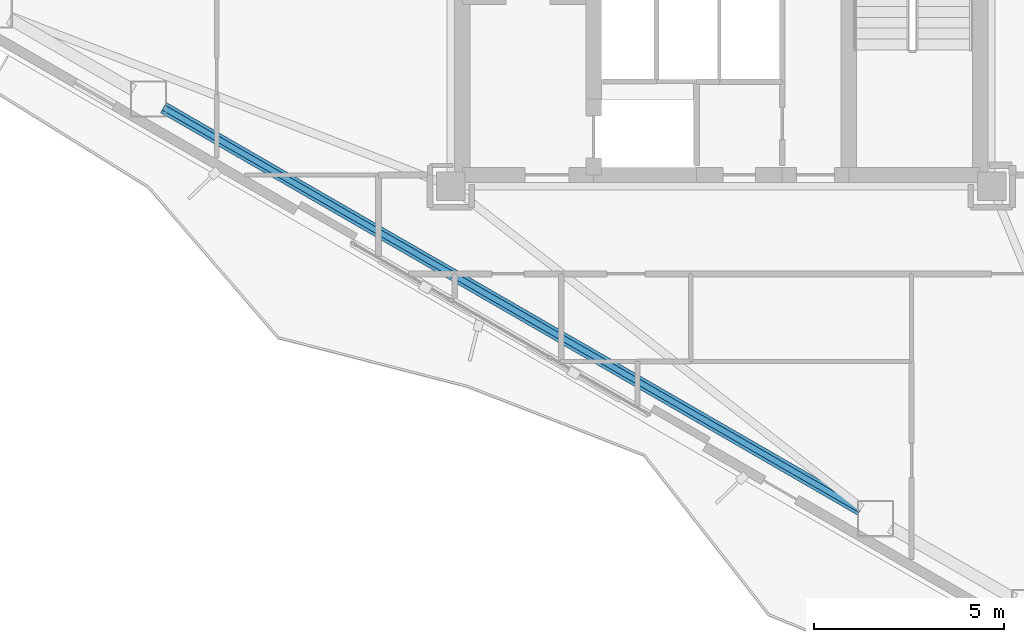
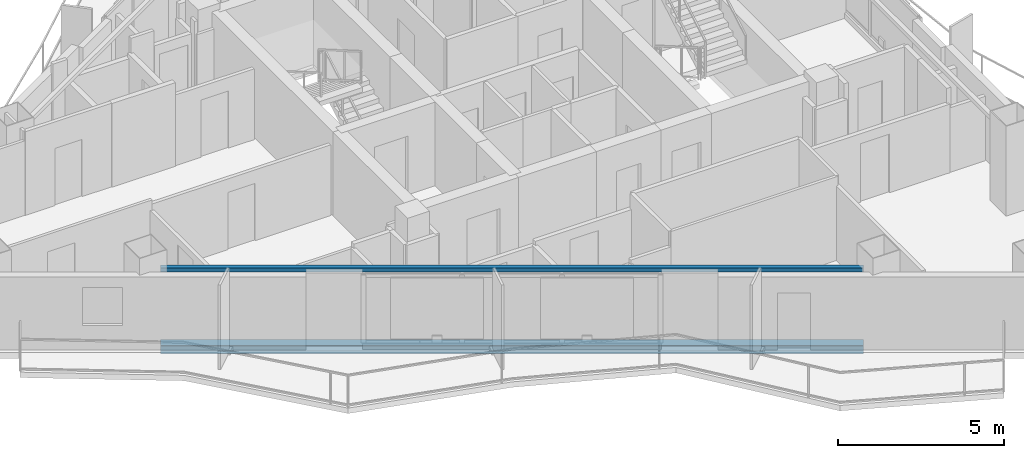
# One storey, part 3 of 21: 2 beams.
"""IFC4 building model written with IfcOpenShell, lengths in metres."""

import ifcopenshell
import ifcopenshell.guid

model = None  # the IFC model being written
_history = None  # IfcOwnerHistory: only IFC2X3 demands one
_inside = {}  # id of a spatial element -> (the spatial element, [elements in it])
_under = {}  # id of a project, library or spatial element -> (it, [spatial elements below it])
_declared = {}  # id of a project -> (the project, [libraries it declares])
_typed = {}  # id of a type object -> (the type object, [elements of that type])
_made_of = {}  # id of a material, layer set ... -> (it, [elements and type objects made of it])


def new_model(schema):
    """Start an empty IFC model of exactly this schema.

    Asked for "IFC4X3", IfcOpenShell would pick the latest addendum, in which some entities
    have other attributes; the version numbers below select the first issue.
    IFC2X3 requires an IfcOwnerHistory on every rooted entity: one is made here for all.
    """
    global model, _history
    if schema == "IFC4X3":
        model = ifcopenshell.file(schema_version=(4, 3, 0, 0))
    else:
        model = ifcopenshell.file(schema=schema)
    _inside.clear()
    _under.clear()
    _declared.clear()
    _typed.clear()
    _made_of.clear()
    _history = None
    if model.schema == "IFC2X3":
        org = make("IfcOrganization", Name="unknown")
        user = make(
            "IfcPersonAndOrganization",
            ThePerson=make("IfcPerson", FamilyName="unknown"),
            TheOrganization=org,
        )
        app = make(
            "IfcApplication",
            ApplicationDeveloper=org,
            Version="unknown",
            ApplicationFullName="unknown",
            ApplicationIdentifier="unknown",
        )
        _history = make(
            "IfcOwnerHistory",
            OwningUser=user,
            OwningApplication=app,
            ChangeAction="ADDED",
            CreationDate=0,
        )
    return model


def make(cls, **values):
    """One entity of the class cls with the attributes given. An attribute that is None is left unset."""
    return model.create_entity(
        cls, **{name: value for name, value in values.items() if value is not None}
    )


def rooted(cls, **values):
    """An entity with a GlobalId (a new one), such as an element, a storey or a relation."""
    return make(cls, GlobalId=ifcopenshell.guid.new(), OwnerHistory=_history, **values)


def si_unit(unit_type, name, prefix=None):
    """IfcSIUnit, for example si_unit("LENGTHUNIT", "METRE", prefix="MILLI")."""
    return make("IfcSIUnit", UnitType=unit_type, Prefix=prefix, Name=name)


def assignment(units):
    """IfcUnitAssignment: the units of a project."""
    return None if units is None else make("IfcUnitAssignment", Units=units)


def point(xyz):
    """IfcCartesianPoint."""
    return None if xyz is None else make("IfcCartesianPoint", Coordinates=xyz)


def direction(xyz):
    """IfcDirection."""
    return None if xyz is None else make("IfcDirection", DirectionRatios=xyz)


def frame(location, z_axis=None, x_axis=None):
    """IfcAxis2Placement3D, a coordinate frame: its origin and axes. An axis left out is left unset."""
    return make(
        "IfcAxis2Placement3D",
        Location=point(location),
        Axis=direction(z_axis),
        RefDirection=direction(x_axis),
    )


def frame_2d(location, x_axis=None):
    """IfcAxis2Placement2D, a coordinate frame in the plane: its origin and x axis."""
    return make(
        "IfcAxis2Placement2D", Location=point(location), RefDirection=direction(x_axis)
    )


def origin():
    """The frame at (0, 0, 0) with its axes left unset."""
    return frame((0.0, 0.0, 0.0))


def origin_2d():
    """The frame at (0, 0) in the plane with its x axis left unset."""
    return frame_2d((0.0, 0.0))


def place(relative_to, where):
    """IfcLocalPlacement: puts the frame where relative to a parent placement (None: the world)."""
    return make(
        "IfcLocalPlacement", PlacementRelTo=relative_to, RelativePlacement=where
    )


def context(
    kind, dimensions, precision=None, world=None, true_north=None, identifier=None
):
    """IfcGeometricRepresentationContext, for example the 3D "Model" context."""
    return make(
        "IfcGeometricRepresentationContext",
        ContextIdentifier=identifier,
        ContextType=kind,
        CoordinateSpaceDimension=dimensions,
        Precision=precision,
        WorldCoordinateSystem=world,
        TrueNorth=true_north,
    )


def subcontext(parent, identifier, kind, view, scale=None):
    """IfcGeometricRepresentationSubContext, for example "Body" below "Model"."""
    return make(
        "IfcGeometricRepresentationSubContext",
        ContextIdentifier=identifier,
        ContextType=kind,
        ParentContext=parent,
        TargetScale=scale,
        TargetView=view,
    )


def project(units=None, contexts=None):
    """IfcProject with its units and contexts."""
    return rooted(
        "IfcProject",
        Name="project",
        RepresentationContexts=contexts,
        UnitsInContext=assignment(units),
    )


def spatial(cls, under=None, at=None, **own):
    """A site, building, storey or space (cls), placed at a placement, below another one or the project."""
    s = rooted(cls, ObjectPlacement=at, **own)
    if under is not None:
        _under.setdefault(under.id(), (under, []))[1].append(s)
    return s


def profile(cls, at=None, kind="AREA", **sizes):
    """A parametric profile (cls). Its sizes go by their IFC names, for example OverallWidth=200.0."""
    return make(cls, ProfileType=kind, Position=at, **sizes)


def hollow_rectangle(**sizes):
    """IfcRectangleHollowProfileDef."""
    return profile("IfcRectangleHollowProfileDef", **sizes)


def i_section(**sizes):
    """IfcIShapeProfileDef."""
    return profile("IfcIShapeProfileDef", **sizes)


def extrude(swept, where, along, depth):
    """IfcExtrudedAreaSolid: the profile swept, set in the frame where, extruded along a direction by depth."""
    return make(
        "IfcExtrudedAreaSolid",
        SweptArea=swept,
        Position=where,
        ExtrudedDirection=direction(along),
        Depth=depth,
    )


def shape(context_of_items, identifier, shape_type, items):
    """IfcShapeRepresentation: the items that make up one representation, for example the "Body"."""
    return make(
        "IfcShapeRepresentation",
        ContextOfItems=context_of_items,
        RepresentationIdentifier=identifier,
        RepresentationType=shape_type,
        Items=items,
    )


def material(Name=None, Category=None):
    """IfcMaterial."""
    return make("IfcMaterial", Name=Name, Category=Category)


def material_profile(
    of_material, cross_section, Name=None, Category=None, Priority=None
):
    """IfcMaterialProfile: a cross section and its material."""
    return make(
        "IfcMaterialProfile",
        Name=Name,
        Material=of_material,
        Profile=cross_section,
        Priority=Priority,
        Category=Category,
    )


def profile_set(profiles, Name=None, composite=None):
    """IfcMaterialProfileSet."""
    return make(
        "IfcMaterialProfileSet",
        Name=Name,
        MaterialProfiles=profiles,
        CompositeProfile=composite,
    )


def made_of(thing, what):
    """Note that an element or type object is made of a material, layer set ...; save() writes the relation."""
    if what is not None:
        _made_of.setdefault(what.id(), (what, []))[1].append(thing)
    return thing


def type_object(cls, material=None, **own):
    """A type object (cls), such as IfcWallType, which elements share."""
    return made_of(rooted(cls, **own), material)


def element(
    cls,
    number,
    at=None,
    inside=None,
    cuts=None,
    type_object=None,
    material=None,
    context=None,
    identifier="Body",
    shape_type=None,
    held_by="IfcProductDefinitionShape",
    body=None,
    shapes=None,
    **own,
):
    """One element of the class cls, such as IfcWall. Its Tag is "e" and its number.

    at: its placement. inside: the storey or other place that contains it. cuts: it is an
    opening in that element (IfcRelVoidsElement). A single representation is given by context,
    identifier, shape_type and body (its items); several are given by shapes. held_by: the class
    of the entity that holds the representations. save() writes the other relations.
    """
    e = rooted(cls, Tag="e%d" % number, ObjectPlacement=at, **own)
    if body is not None:
        shapes = [shape(context, identifier, shape_type, body)]
    if shapes is not None:
        e.Representation = make(held_by, Representations=shapes)
    if inside is not None:
        _inside.setdefault(inside.id(), (inside, []))[1].append(e)
    if cuts is not None:
        rooted(
            "IfcRelVoidsElement", RelatingBuildingElement=cuts, RelatedOpeningElement=e
        )
    if type_object is not None:
        _typed.setdefault(type_object.id(), (type_object, []))[1].append(e)
    return made_of(e, material)


def aggregate(whole, parts):
    """IfcRelAggregates: a whole, such as a stair, and the parts it consists of."""
    return rooted("IfcRelAggregates", RelatingObject=whole, RelatedObjects=parts)


def save(model, path):
    """Write the relations noted so far, then the file.

    IfcRelAggregates (storeys below a building ...), IfcRelContainedInSpatialStructure (elements
    in a storey), IfcRelDefinesByType, IfcRelAssociatesMaterial and IfcRelDeclares: one each for
    every whole, place, type object, material and project.
    """
    for whole, parts in _under.values():
        aggregate(whole, parts)
    for where, things in _inside.values():
        rooted(
            "IfcRelContainedInSpatialStructure",
            RelatedElements=things,
            RelatingStructure=where,
        )
    for kind, things in _typed.values():
        rooted("IfcRelDefinesByType", RelatedObjects=things, RelatingType=kind)
    for what, things in _made_of.values():
        rooted("IfcRelAssociatesMaterial", RelatedObjects=things, RelatingMaterial=what)
    for by, libraries in _declared.values():
        rooted("IfcRelDeclares", RelatingContext=by, RelatedDefinitions=libraries)
    model.write(path)


model = new_model("IFC4")

# Units and contexts
model_context = context("Model", 3, precision=1e-05, world=origin(), true_north=direction((0.0, 1.0)))
body_context = subcontext(model_context, "Body", "Model", "MODEL_VIEW")
ifc_project = project(units=[si_unit("LENGTHUNIT", "METRE"), si_unit("AREAUNIT", "SQUARE_METRE"), si_unit("VOLUMEUNIT", "CUBIC_METRE"), si_unit("PLANEANGLEUNIT", "RADIAN"), si_unit("MASSUNIT", "GRAM", prefix="KILO")], contexts=[model_context])

# Site, building, storey
site_placement = place(None, origin())
site = spatial("IfcSite", under=ifc_project, at=site_placement, CompositionType="ELEMENT")
building_placement = place(site_placement, origin())
building = spatial("IfcBuilding", under=site, at=building_placement, Name="Mersakhor Tower and Convention Hall", CompositionType="ELEMENT")
storey_placement = place(building_placement, frame((0.0, 0.0, 185.39990234375)))
storey = spatial("IfcBuildingStorey", under=building, at=storey_placement, Name="L51", CompositionType="ELEMENT", Elevation=185.39990234375)

# Beams
ifc_material_1 = material(Name="Steel S355", Category="steel")
ifc_material_profile_1 = material_profile(ifc_material_1, hollow_rectangle(XDim=0.14990234375, YDim=0.14990234375, WallThickness=0.010009765625, at=origin_2d()), Name="SHS 150x150x10")
ifc_profile_set_1 = profile_set([ifc_material_profile_1], Name="Steel S355")
beam_type_1 = type_object("IfcBeamType", Name="BM-GRT-SHS150", PredefinedType="USERDEFINED", material=ifc_profile_set_1)
beam_1_placement = place(storey_placement, frame((32.65771484375, 11.949951171875, 2.47998046875), z_axis=(-0.866028813665, 0.499994093867, 0.0), x_axis=(-0.499994093867, -0.866028813665, 0.0)))
element("IfcBeam", 1, at=beam_1_placement, inside=storey, type_object=beam_type_1, Name="L51 Facade Support Girt GRT-F3", ObjectType="GIRT", PredefinedType="USERDEFINED", context=body_context, shape_type="SweptSolid", body=[
    extrude(hollow_rectangle(XDim=0.14990234375, YDim=0.14990234375, WallThickness=0.010009765625, at=origin_2d()), origin(), (0.0, 0.0, 1.0), 21.135498046875),
])
ifc_material_2 = material(Name="Steel S355", Category="steel")
ifc_material_profile_2 = material_profile(ifc_material_2, i_section(OverallWidth=0.30908203125, OverallDepth=0.320556640625, WebThickness=0.013916015625, FlangeThickness=0.021728515625, at=origin_2d()), Name="UC 305x305x137")
ifc_profile_set_2 = profile_set([ifc_material_profile_2], Name="Steel S355")
beam_type_2 = type_object("IfcBeamType", Name="BM-SPD-UC305", PredefinedType="SPANDREL", material=ifc_profile_set_2)
beam_2_placement = place(storey_placement, frame((32.65771484375, 11.949951171875, -0.39013671875), z_axis=(-0.866028813665, 0.499994093867, 0.0), x_axis=(-0.499994093867, -0.866028813665, 0.0)))
element("IfcBeam", 2, at=beam_2_placement, inside=storey, type_object=beam_type_2, Name="L51 Perimeter Spandrel Beam SPB-10", PredefinedType="SPANDREL", context=body_context, shape_type="SweptSolid", body=[
    extrude(i_section(OverallWidth=0.30908203125, OverallDepth=0.320556640625, WebThickness=0.013916015625, FlangeThickness=0.021728515625, at=origin_2d()), origin(), (0.0, 0.0, 1.0), 21.135498046875),
])

save(model, "model.ifc")
